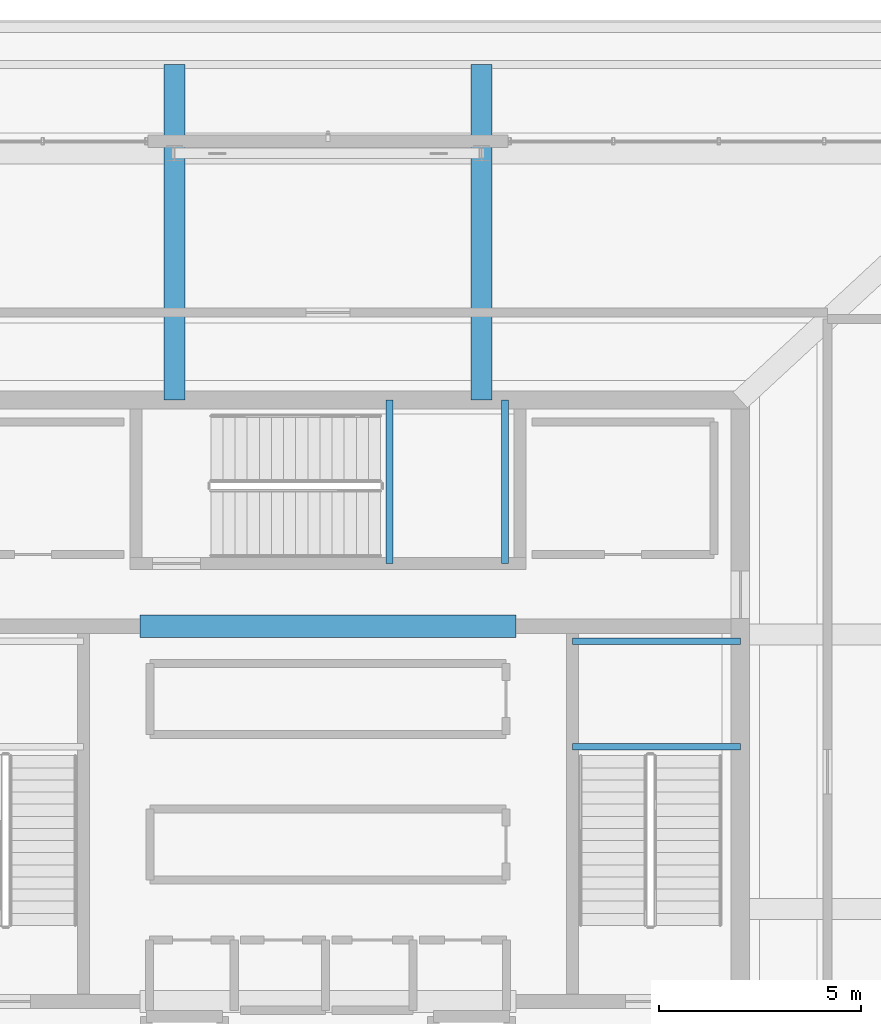
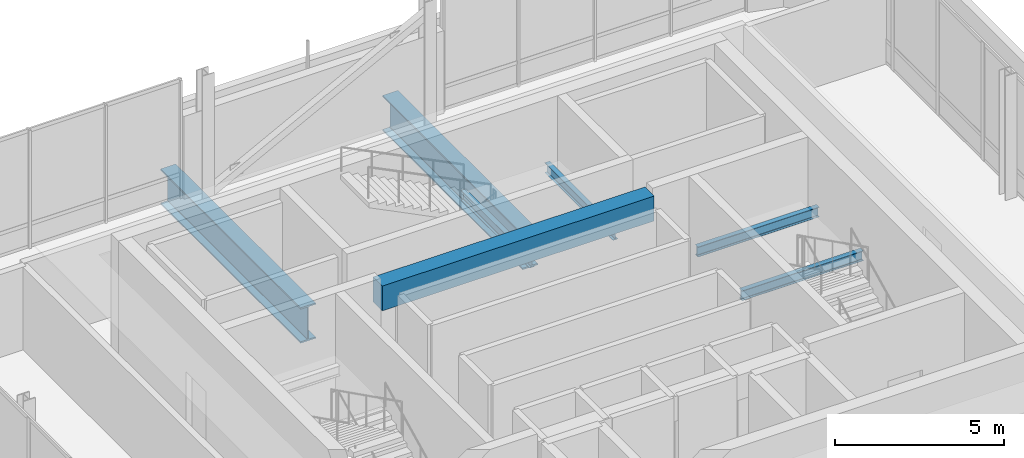
# One storey, part 11 of 28: 7 beams.
"""IFC4 building model written with IfcOpenShell, lengths in metres."""

from ifc_helpers import new_model, si_unit, direction, frame, origin, origin_2d, place, context, subcontext, project, spatial, rectangle, i_section, extrude, material, material_profile, profile_set, type_object, element, save


model = new_model("IFC4")

# Units and contexts
model_context = context("Model", 3, precision=1e-05, world=origin(), true_north=direction((0.0, 1.0)))
body_context = subcontext(model_context, "Body", "Model", "MODEL_VIEW")
ifc_project = project(units=[si_unit("LENGTHUNIT", "METRE"), si_unit("AREAUNIT", "SQUARE_METRE"), si_unit("VOLUMEUNIT", "CUBIC_METRE"), si_unit("PLANEANGLEUNIT", "RADIAN"), si_unit("MASSUNIT", "GRAM", prefix="KILO")], contexts=[model_context])

# Site, building, storey
site_placement = place(None, origin())
site = spatial("IfcSite", under=ifc_project, at=site_placement, CompositionType="ELEMENT")
building_placement = place(site_placement, origin())
building = spatial("IfcBuilding", under=site, at=building_placement, Name="Punatoya Terracotta Tower", CompositionType="ELEMENT")
storey_placement = place(building_placement, frame((0.0, 0.0, 352.800048828125)))
storey = spatial("IfcBuildingStorey", under=building, at=storey_placement, Name="L83", CompositionType="ELEMENT", Elevation=352.800048828125)

# Beams
ifc_material_1 = material(Name="Concrete C50/60", Category="concrete")
ifc_material_profile_1 = material_profile(ifc_material_1, rectangle(XDim=0.550048828125, YDim=0.89990234375, at=origin_2d()))
ifc_profile_set_1 = profile_set([ifc_material_profile_1], Name="Concrete C50/60")
beam_type_1 = type_object("IfcBeamType", Name="BM-RC-900", PredefinedType="LINTEL", material=ifc_profile_set_1)
beam_placement = place(storey_placement, frame((-4.64990234375, 3.60009765625, 3.829833984375), z_axis=(1.0, 0.0, 0.0), x_axis=(0.0, 1.0, 0.0)))
element("IfcBeam", 1, at=beam_placement, inside=storey, type_object=beam_type_1, Name="L83 Core Coupling Lintel CNW", PredefinedType="LINTEL", context=body_context, shape_type="SweptSolid", body=[
    extrude(rectangle(XDim=0.550048828125, YDim=0.89990234375, at=origin_2d()), origin(), (0.0, 0.0, 1.0), 9.2998046875),
])
ifc_material_2 = material(Name="Steel S355", Category="steel")
ifc_material_profile_2 = material_profile(ifc_material_2, i_section(OverallWidth=0.169921875, OverallDepth=0.360107421875, WebThickness=0.008056640625, FlangeThickness=0.0126953125, FilletRadius=0.01806640625, at=origin_2d()))
ifc_profile_set_2 = profile_set([ifc_material_profile_2], Name="Steel S355")
beam_type_2 = type_object("IfcBeamType", Name="BM-SEC-360", PredefinedType="JOIST", material=ifc_profile_set_2)
for number, where, z_axis, x_axis, name in (
    (2, (6.050048828125, 0.6201171875, 1.869873046875), (1.0, 0.0, 0.0), (0.0, 1.0, 0.0), "BM-L83-ST-2-LD1A"),
    (3, (6.050048828125, 3.22998046875, 1.869873046875), (1.0, 0.0, 0.0), (0.0, 1.0, 0.0), "BM-L83-ST-2-LD1B"),
):
    element("IfcBeam", number, at=place(storey_placement, frame(where, z_axis=z_axis, x_axis=x_axis)), inside=storey, type_object=beam_type_2, Name=name, PredefinedType="JOIST", context=body_context, shape_type="SweptSolid", body=[
        extrude(i_section(OverallWidth=0.169921875, OverallDepth=0.360107421875, WebThickness=0.008056640625, FlangeThickness=0.0126953125, FilletRadius=0.01806640625, at=origin_2d()), origin(), (0.0, 0.0, 1.0), 4.14990234375),
    ])
for number, where, z_axis, x_axis, name in (
    (4, (1.52001953125, 5.14990234375, 1.869873046875), (0.0, 1.0, 0.0), (-1.0, 0.0, 0.0), "BM-L83-ST-3-LD1A"),
    (5, (4.3798828125, 5.14990234375, 1.869873046875), (0.0, 1.0, 0.0), (-1.0, 0.0, 0.0), "BM-L83-ST-3-LD1B"),
):
    element("IfcBeam", number, at=place(storey_placement, frame(where, z_axis=z_axis, x_axis=x_axis)), inside=storey, type_object=beam_type_2, Name=name, PredefinedType="JOIST", context=body_context, shape_type="SweptSolid", body=[
        extrude(i_section(OverallWidth=0.169921875, OverallDepth=0.360107421875, WebThickness=0.008056640625, FlangeThickness=0.0126953125, FilletRadius=0.01806640625, at=origin_2d()), origin(), (0.0, 0.0, 1.0), 4.050048828125),
    ])
ifc_material_3 = material(Name="Steel S460", Category="steel")
ifc_material_profile_3 = material_profile(ifc_material_3, i_section(OverallWidth=0.52001953125, OverallDepth=1.280029296875, WebThickness=0.031982421875, FlangeThickness=0.050048828125, FilletRadius=0.01806640625, at=origin_2d()))
ifc_profile_set_3 = profile_set([ifc_material_profile_3], Name="Steel S460")
beam_type_3 = type_object("IfcBeamType", Name="BM-TG-NCK", PredefinedType="BEAM", material=ifc_profile_set_3)
for number, where, z_axis, x_axis, name in (
    (6, (-3.800048828125, 9.199951171875, -0.920166015625), (0.0, 1.0, 0.0), (-1.0, 0.0, 0.0), "BM-L83-CN1"),
    (7, (3.800048828125, 9.199951171875, -0.920166015625), (0.0, 1.0, 0.0), (-1.0, 0.0, 0.0), "BM-L83-CN2"),
):
    element("IfcBeam", number, at=place(storey_placement, frame(where, z_axis=z_axis, x_axis=x_axis)), inside=storey, type_object=beam_type_3, Name=name, PredefinedType="BEAM", context=body_context, shape_type="SweptSolid", body=[
        extrude(i_section(OverallWidth=0.52001953125, OverallDepth=1.280029296875, WebThickness=0.031982421875, FlangeThickness=0.050048828125, FilletRadius=0.01806640625, at=origin_2d()), origin(), (0.0, 0.0, 1.0), 8.300048828125),
    ])

save(model, "model.ifc")
